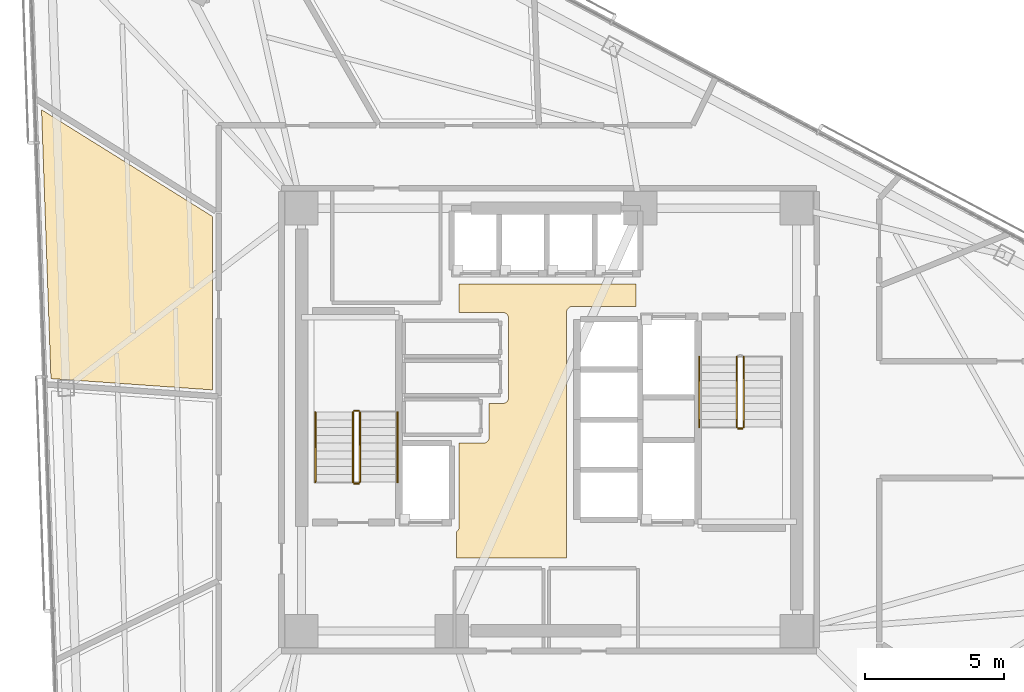
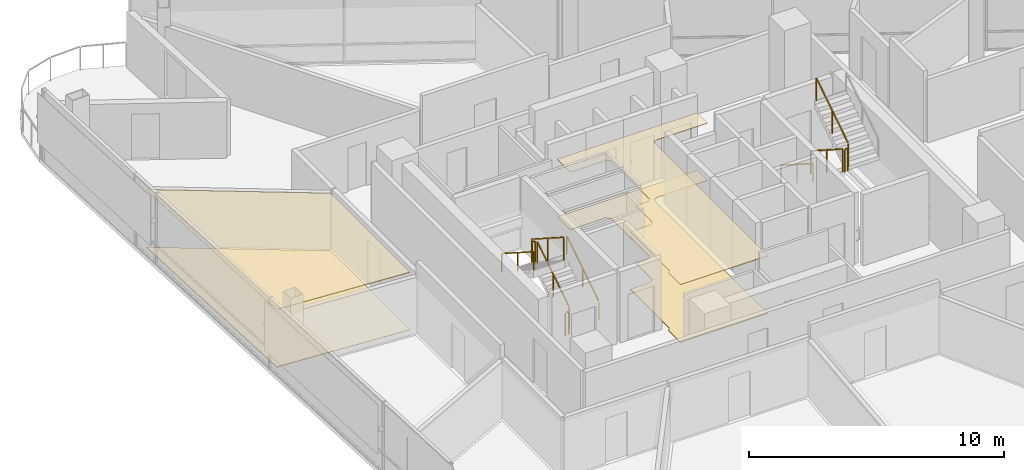
# One storey, part 18 of 20: 10 railings, 4 coverings.
"""IFC4 building model written with IfcOpenShell, lengths in metres."""

from ifc_helpers import new_model, si_unit, direction, frame, origin, origin_2d, place, context, subcontext, project, spatial, polyline, rectangle, outline, extrude, material, layer, layer_set, type_object, element, save


model = new_model("IFC4")

# Units and contexts
model_context = context("Model", 3, precision=1e-05, world=origin(), true_north=direction((0.0, 1.0)))
body_context = subcontext(model_context, "Body", "Model", "MODEL_VIEW")
ifc_project = project(units=[si_unit("LENGTHUNIT", "METRE"), si_unit("AREAUNIT", "SQUARE_METRE"), si_unit("VOLUMEUNIT", "CUBIC_METRE"), si_unit("PLANEANGLEUNIT", "RADIAN"), si_unit("MASSUNIT", "GRAM", prefix="KILO")], contexts=[model_context])

# Site, building, storey
site_placement = place(None, origin())
site = spatial("IfcSite", under=ifc_project, at=site_placement, CompositionType="ELEMENT")
building_placement = place(site_placement, origin())
building = spatial("IfcBuilding", under=site, at=building_placement, Name="Tharavind Bronze Gate", CompositionType="ELEMENT")
storey_placement = place(building_placement, frame((0.0, 0.0, 149.60009765625)))
storey = spatial("IfcBuildingStorey", under=building, at=storey_placement, Name="L38", CompositionType="ELEMENT", Elevation=149.60009765625)

# Coverings
ifc_material_1 = material(Name="Perforated Bronze Acoustic Panel", Category="bronze")
ifc_layer_1 = layer(ifc_material_1, 0.044921875)
ifc_layer_set_1 = layer_set([ifc_layer_1], Name="Perforated Bronze Acoustic Panel")
covering_type_1 = type_object("IfcCoveringType", Name="ACOUSTIC BRONZE BAFFLE CEILING", PredefinedType="CEILING", material=ifc_layer_set_1)
covering_1_placement = place(storey_placement, frame((0.0, 0.0, 2.75)))
element("IfcCovering", 1, at=covering_1_placement, inside=storey, type_object=covering_type_1, Name="L38-C-LL suspended ceiling", PredefinedType="CEILING", context=body_context, shape_type="SweptSolid", body=[
    extrude(outline(polyline([(-3.330078125, -4.97998046875), (0.6298828125, -4.97998046875), (0.6298828125, 3.85009765625), (0.631103515625, 3.87158203125), (0.63427734375, 3.892822265625), (0.639404296875, 3.913818359375), (0.646728515625, 3.93408203125), (0.656005859375, 3.95361328125), (0.6669921875, 3.97216796875), (0.679931640625, 3.989501953125), (0.6943359375, 4.005615234375), (0.71044921875, 4.02001953125), (0.727783203125, 4.032958984375), (0.746337890625, 4.0439453125), (0.765869140625, 4.05322265625), (0.7861328125, 4.060546875), (0.80712890625, 4.06591796875), (0.828369140625, 4.06884765625), (0.85009765625, 4.070068359375), (3.1298828125, 4.070068359375), (3.1298828125, 4.8798828125), (-3.22998046875, 4.8798828125), (-3.22998046875, 3.85009765625), (-1.669921875, 3.85009765625), (-1.6484375, 3.848876953125), (-1.627197265625, 3.845703125), (-1.606201171875, 3.840576171875), (-1.585693359375, 3.833251953125), (-1.56640625, 3.823974609375), (-1.5478515625, 3.81298828125), (-1.530517578125, 3.800048828125), (-1.514404296875, 3.78564453125), (-1.5, 3.76953125), (-1.487060546875, 3.752197265625), (-1.47607421875, 3.733642578125), (-1.466796875, 3.714111328125), (-1.45947265625, 3.69384765625), (-1.4541015625, 3.6728515625), (-1.451171875, 3.651611328125), (-1.449951171875, 3.6298828125), (-1.449951171875, 0.800048828125), (-1.451171875, 0.7783203125), (-1.4541015625, 0.757080078125), (-1.45947265625, 0.736083984375), (-1.466796875, 0.7158203125), (-1.47607421875, 0.6962890625), (-1.487060546875, 0.677734375), (-1.5, 0.660400390625), (-1.514404296875, 0.644287109375), (-1.530517578125, 0.6298828125), (-1.5478515625, 0.6171875), (-1.56640625, 0.60595703125), (-1.585693359375, 0.5966796875), (-1.606201171875, 0.589599609375), (-1.627197265625, 0.584228515625), (-1.6484375, 0.5810546875), (-1.669921875, 0.580078125), (-2.14990234375, 0.580078125), (-2.14990234375, -0.6298828125), (-2.151123046875, -0.651611328125), (-2.154296875, -0.6728515625), (-2.159423828125, -0.69384765625), (-2.166748046875, -0.714111328125), (-2.176025390625, -0.733642578125), (-2.18701171875, -0.752197265625), (-2.199951171875, -0.76953125), (-2.21435546875, -0.78564453125), (-2.23046875, -0.800048828125), (-2.247802734375, -0.81298828125), (-2.266357421875, -0.823974609375), (-2.285888671875, -0.833251953125), (-2.30615234375, -0.840576171875), (-2.3271484375, -0.845703125), (-2.348388671875, -0.848876953125), (-2.3701171875, -0.85009765625), (-3.22998046875, -0.85009765625), (-3.22998046875, -3.85009765625), (-3.231201171875, -3.87158203125), (-3.234130859375, -3.892822265625), (-3.239501953125, -3.913818359375), (-3.24658203125, -3.93408203125), (-3.256103515625, -3.95361328125), (-3.26708984375, -3.97216796875), (-3.27978515625, -3.989501953125), (-3.29443359375, -4.005615234375), (-3.310302734375, -4.02001953125), (-3.327880859375, -4.032958984375), (-3.330078125, -4.0341796875), (-3.330078125, -4.97998046875)])), origin(), (0.0, 0.0, 1.0), 0.034912109375),
])
ifc_material_2 = material(Name="Engineered Oak & Carpet Tile", Category="wood")
ifc_layer_2 = layer(ifc_material_2, 0.02490234375)
ifc_layer_set_2 = layer_set([ifc_layer_2], Name="Engineered Oak & Carpet Tile")
covering_type_2 = type_object("IfcCoveringType", Name="ENGINEERED TIMBER FLOORING", PredefinedType="FLOORING", material=ifc_layer_set_2)
covering_2_placement = place(storey_placement, origin())
element("IfcCovering", 2, at=covering_2_placement, inside=storey, type_object=covering_type_2, Name="L38-RM-05 floor finish", PredefinedType="FLOORING", context=body_context, shape_type="SweptSolid", body=[
    extrude(outline(polyline([(-17.909912109375, 1.472900390625), (-12.10009765625, 1.066650390625), (-12.10009765625, 7.301513671875), (-18.24755859375, 11.142822265625), (-17.909912109375, 1.472900390625)])), origin(), (0.0, 0.0, 1.0), 0.02490234375),
])
ifc_material_3 = material(Name="Acoustic Gypsum Board", Category="gypsum")
ifc_layer_3 = layer(ifc_material_3, 0.030029296875)
ifc_layer_set_3 = layer_set([ifc_layer_3], Name="Acoustic Gypsum Board")
covering_type_3 = type_object("IfcCoveringType", Name="GYPSUM SUSPENDED CEILING", PredefinedType="CEILING", material=ifc_layer_set_3)
covering_3_placement = place(storey_placement, frame((0.0, 0.0, 2.75)))
element("IfcCovering", 3, at=covering_3_placement, inside=storey, type_object=covering_type_3, Name="L38-RM-05 suspended ceiling", PredefinedType="CEILING", context=body_context, shape_type="SweptSolid", body=[
    extrude(outline(polyline([(-17.909912109375, 1.472900390625), (-12.10009765625, 1.066650390625), (-12.10009765625, 7.301513671875), (-18.24755859375, 11.142822265625), (-17.909912109375, 1.472900390625)])), origin(), (0.0, 0.0, 1.0), 0.034912109375),
])
ifc_material_4 = material(Name="Honed Travertine Limestone", Category="masonry")
ifc_layer_4 = layer(ifc_material_4, 0.030029296875)
ifc_layer_set_4 = layer_set([ifc_layer_4], Name="Honed Travertine Limestone")
covering_type_4 = type_object("IfcCoveringType", Name="HONED LIMESTONE FLOORING", PredefinedType="FLOORING", material=ifc_layer_set_4)
covering_4_placement = place(storey_placement, origin())
element("IfcCovering", 4, at=covering_4_placement, inside=storey, type_object=covering_type_4, Name="L38-C-LL floor finish", PredefinedType="FLOORING", context=body_context, shape_type="SweptSolid", body=[
    extrude(outline(polyline([(-3.330078125, -4.97998046875), (0.6298828125, -4.97998046875), (0.6298828125, 3.85009765625), (0.631103515625, 3.87158203125), (0.63427734375, 3.892822265625), (0.639404296875, 3.913818359375), (0.646728515625, 3.93408203125), (0.656005859375, 3.95361328125), (0.6669921875, 3.97216796875), (0.679931640625, 3.989501953125), (0.6943359375, 4.005615234375), (0.71044921875, 4.02001953125), (0.727783203125, 4.032958984375), (0.746337890625, 4.0439453125), (0.765869140625, 4.05322265625), (0.7861328125, 4.060546875), (0.80712890625, 4.06591796875), (0.828369140625, 4.06884765625), (0.85009765625, 4.070068359375), (3.1298828125, 4.070068359375), (3.1298828125, 4.8798828125), (-3.22998046875, 4.8798828125), (-3.22998046875, 3.85009765625), (-1.669921875, 3.85009765625), (-1.6484375, 3.848876953125), (-1.627197265625, 3.845703125), (-1.606201171875, 3.840576171875), (-1.585693359375, 3.833251953125), (-1.56640625, 3.823974609375), (-1.5478515625, 3.81298828125), (-1.530517578125, 3.800048828125), (-1.514404296875, 3.78564453125), (-1.5, 3.76953125), (-1.487060546875, 3.752197265625), (-1.47607421875, 3.733642578125), (-1.466796875, 3.714111328125), (-1.45947265625, 3.69384765625), (-1.4541015625, 3.6728515625), (-1.451171875, 3.651611328125), (-1.449951171875, 3.6298828125), (-1.449951171875, 0.800048828125), (-1.451171875, 0.7783203125), (-1.4541015625, 0.757080078125), (-1.45947265625, 0.736083984375), (-1.466796875, 0.7158203125), (-1.47607421875, 0.6962890625), (-1.487060546875, 0.677734375), (-1.5, 0.660400390625), (-1.514404296875, 0.644287109375), (-1.530517578125, 0.6298828125), (-1.5478515625, 0.6171875), (-1.56640625, 0.60595703125), (-1.585693359375, 0.5966796875), (-1.606201171875, 0.589599609375), (-1.627197265625, 0.584228515625), (-1.6484375, 0.5810546875), (-1.669921875, 0.580078125), (-2.14990234375, 0.580078125), (-2.14990234375, -0.6298828125), (-2.151123046875, -0.651611328125), (-2.154296875, -0.6728515625), (-2.159423828125, -0.69384765625), (-2.166748046875, -0.714111328125), (-2.176025390625, -0.733642578125), (-2.18701171875, -0.752197265625), (-2.199951171875, -0.76953125), (-2.21435546875, -0.78564453125), (-2.23046875, -0.800048828125), (-2.247802734375, -0.81298828125), (-2.266357421875, -0.823974609375), (-2.285888671875, -0.833251953125), (-2.30615234375, -0.840576171875), (-2.3271484375, -0.845703125), (-2.348388671875, -0.848876953125), (-2.3701171875, -0.85009765625), (-3.22998046875, -0.85009765625), (-3.22998046875, -3.85009765625), (-3.231201171875, -3.87158203125), (-3.234130859375, -3.892822265625), (-3.239501953125, -3.913818359375), (-3.24658203125, -3.93408203125), (-3.256103515625, -3.95361328125), (-3.26708984375, -3.97216796875), (-3.27978515625, -3.989501953125), (-3.29443359375, -4.005615234375), (-3.310302734375, -4.02001953125), (-3.327880859375, -4.032958984375), (-3.330078125, -4.0341796875), (-3.330078125, -4.97998046875)])), origin(), (0.0, 0.0, 1.0), 0.02490234375),
])

# Railings
ifc_material_5 = material(Name="Brushed Bronze Alloy", Category="metal")
railing_type_1 = type_object("IfcRailingType", Name="STAIR BRONZE HANDRAIL 900", PredefinedType="HANDRAIL", material=ifc_material_5)
railing_1_placement = place(storey_placement, frame((-5.449951171875, -2.25, 0.179931640625)))
element("IfcRailing", 5, at=railing_1_placement, inside=storey, type_object=railing_type_1, Name="L38 ST1 stair handrail 1", PredefinedType="HANDRAIL", context=body_context, shape_type="SweptSolid", body=[
    extrude(rectangle(XDim=0.048095703125, YDim=0.048095703125, at=origin_2d()), frame((0.0, 0.02685546875, 0.89306640625), z_axis=(0.0, 0.841199657755, 0.540724639528), x_axis=(-1.0, 0.0, 0.0)), (0.0, 0.0, 1.0), 2.931640625),
    extrude(rectangle(XDim=0.0400390625, YDim=0.0400390625, at=origin_2d()), origin(), (0.0, 0.0, 1.0), 0.847900390625),
    extrude(rectangle(XDim=0.0400390625, YDim=0.0400390625, at=origin_2d()), frame((0.0, 1.260009765625, 0.81005859375)), (0.0, 0.0, 1.0), 0.847900390625),
    extrude(rectangle(XDim=0.0400390625, YDim=0.0400390625, at=origin_2d()), frame((0.0, 2.52001953125, 1.619873046875)), (0.0, 0.0, 1.0), 0.847900390625),
])
for number, where, name in (
    (6, (-8.39990234375, 0.27001953125, 1.97998046875), "L38 ST1 stair handrail 2"),
    (7, (5.39990234375, 2.25, 0.179931640625), "L38 ST2 stair handrail 1"),
):
    element("IfcRailing", number, at=place(storey_placement, frame(where)), inside=storey, type_object=railing_type_1, Name=name, PredefinedType="HANDRAIL", context=body_context, shape_type="SweptSolid", body=[
        extrude(rectangle(XDim=0.048095703125, YDim=0.048095703125, at=origin_2d()), frame((0.0, -0.02685546875, 0.89306640625), z_axis=(0.0, -0.841199657755, 0.540724639528), x_axis=(1.0, 0.0, 0.0)), (0.0, 0.0, 1.0), 2.931640625),
        extrude(rectangle(XDim=0.0400390625, YDim=0.0400390625, at=origin_2d()), origin(), (0.0, 0.0, 1.0), 0.847900390625),
        extrude(rectangle(XDim=0.0400390625, YDim=0.0400390625, at=origin_2d()), frame((0.0, -1.260009765625, 0.81005859375)), (0.0, 0.0, 1.0), 0.847900390625),
        extrude(rectangle(XDim=0.0400390625, YDim=0.0400390625, at=origin_2d()), frame((0.0, -2.52001953125, 1.619873046875)), (0.0, 0.0, 1.0), 0.847900390625),
    ])
railing_type_2 = type_object("IfcRailingType", Name="STAIR WELL GUARD RAILING 1120", PredefinedType="GUARDRAIL", material=ifc_material_5)
railing_2_placement = place(storey_placement, frame((-6.800048828125, -2.25, 0.179931640625)))
element("IfcRailing", 8, at=railing_2_placement, inside=storey, type_object=railing_type_2, Name="L38 ST1 stair guard 1", PredefinedType="GUARDRAIL", context=body_context, shape_type="SweptSolid", body=[
    extrude(rectangle(XDim=0.048095703125, YDim=0.048095703125, at=origin_2d()), frame((0.0, 0.02685546875, 1.11328125), z_axis=(0.0, 0.841199657755, 0.540724639528), x_axis=(-1.0, 0.0, 0.0)), (0.0, 0.0, 1.0), 2.931640625),
    extrude(rectangle(XDim=0.0400390625, YDim=0.0400390625, at=origin_2d()), origin(), (0.0, 0.0, 1.0), 1.068115234375),
    extrude(rectangle(XDim=0.0400390625, YDim=0.0400390625, at=origin_2d()), frame((0.0, 1.260009765625, 0.81005859375)), (0.0, 0.0, 1.0), 1.068115234375),
    extrude(rectangle(XDim=0.0400390625, YDim=0.0400390625, at=origin_2d()), frame((0.0, 2.52001953125, 1.619873046875)), (0.0, 0.0, 1.0), 1.068115234375),
])
railing_3_placement = place(storey_placement, frame((-6.85009765625, 0.320068359375, 1.7998046875)))
element("IfcRailing", 9, at=railing_3_placement, inside=storey, type_object=railing_type_2, Name="L38 ST1 stair guard 2", PredefinedType="GUARDRAIL", context=body_context, shape_type="SweptSolid", body=[
    extrude(rectangle(XDim=0.048095703125, YDim=0.048095703125, at=origin_2d()), frame((-0.031982421875, 0.0, 1.09619140625), z_axis=(-1.0, 0.0, 0.0), x_axis=(0.0, -1.0, 0.0)), (0.0, 0.0, 1.0), 0.0859375),
    extrude(rectangle(XDim=0.0400390625, YDim=0.0400390625, at=origin_2d()), origin(), (0.0, 0.0, 1.0), 1.068115234375),
    extrude(rectangle(XDim=0.0400390625, YDim=0.0400390625, at=origin_2d()), frame((-0.14990234375, 0.0, 0.0)), (0.0, 0.0, 1.0), 1.068115234375),
])
railing_4_placement = place(storey_placement, frame((-7.050048828125, 0.27001953125, 1.97998046875)))
element("IfcRailing", 10, at=railing_4_placement, inside=storey, type_object=railing_type_2, Name="L38 ST1 stair guard 3", PredefinedType="GUARDRAIL", context=body_context, shape_type="SweptSolid", body=[
    extrude(rectangle(XDim=0.048095703125, YDim=0.048095703125, at=origin_2d()), frame((0.0, -0.02685546875, 1.11328125), z_axis=(0.0, -0.841199657755, 0.540724639528), x_axis=(1.0, 0.0, 0.0)), (0.0, 0.0, 1.0), 2.931640625),
    extrude(rectangle(XDim=0.0400390625, YDim=0.0400390625, at=origin_2d()), origin(), (0.0, 0.0, 1.0), 1.068115234375),
    extrude(rectangle(XDim=0.0400390625, YDim=0.0400390625, at=origin_2d()), frame((0.0, -1.260009765625, 0.81005859375)), (0.0, 0.0, 1.0), 1.068115234375),
    extrude(rectangle(XDim=0.0400390625, YDim=0.0400390625, at=origin_2d()), frame((0.0, -2.52001953125, 1.619873046875)), (0.0, 0.0, 1.0), 1.068115234375),
])
railing_5_placement = place(storey_placement, frame((-6.85009765625, -2.300048828125, 0.0)))
element("IfcRailing", 11, at=railing_5_placement, inside=storey, type_object=railing_type_2, Name="L38 ST1 stair guard 4", PredefinedType="GUARDRAIL", context=body_context, shape_type="SweptSolid", body=[
    extrude(rectangle(XDim=0.048095703125, YDim=0.048095703125, at=origin_2d()), frame((-0.031982421875, 0.0, 1.09619140625), z_axis=(-1.0, 0.0, 0.0), x_axis=(0.0, -1.0, 0.0)), (0.0, 0.0, 1.0), 0.0859375),
    extrude(rectangle(XDim=0.0400390625, YDim=0.0400390625, at=origin_2d()), origin(), (0.0, 0.0, 1.0), 1.068115234375),
    extrude(rectangle(XDim=0.0400390625, YDim=0.0400390625, at=origin_2d()), frame((-0.14990234375, 0.0, 0.0)), (0.0, 0.0, 1.0), 1.068115234375),
])
railing_6_placement = place(storey_placement, frame((6.75, 2.25, 0.179931640625)))
element("IfcRailing", 12, at=railing_6_placement, inside=storey, type_object=railing_type_2, Name="L38 ST2 stair guard 1", PredefinedType="GUARDRAIL", context=body_context, shape_type="SweptSolid", body=[
    extrude(rectangle(XDim=0.048095703125, YDim=0.048095703125, at=origin_2d()), frame((0.0, -0.02685546875, 1.11328125), z_axis=(0.0, -0.841199657755, 0.540724639528), x_axis=(1.0, 0.0, 0.0)), (0.0, 0.0, 1.0), 2.931640625),
    extrude(rectangle(XDim=0.0400390625, YDim=0.0400390625, at=origin_2d()), origin(), (0.0, 0.0, 1.0), 1.068115234375),
    extrude(rectangle(XDim=0.0400390625, YDim=0.0400390625, at=origin_2d()), frame((0.0, -1.260009765625, 0.81005859375)), (0.0, 0.0, 1.0), 1.068115234375),
    extrude(rectangle(XDim=0.0400390625, YDim=0.0400390625, at=origin_2d()), frame((0.0, -2.52001953125, 1.619873046875)), (0.0, 0.0, 1.0), 1.068115234375),
])
railing_7_placement = place(storey_placement, frame((6.800048828125, -0.320068359375, 1.7998046875)))
element("IfcRailing", 13, at=railing_7_placement, inside=storey, type_object=railing_type_2, Name="L38 ST2 stair guard 2", PredefinedType="GUARDRAIL", context=body_context, shape_type="SweptSolid", body=[
    extrude(rectangle(XDim=0.048095703125, YDim=0.048095703125, at=origin_2d()), frame((0.031982421875, 0.0, 1.09619140625), z_axis=(1.0, 0.0, 0.0), x_axis=(0.0, 1.0, 0.0)), (0.0, 0.0, 1.0), 0.0859375),
    extrude(rectangle(XDim=0.0400390625, YDim=0.0400390625, at=origin_2d()), origin(), (0.0, 0.0, 1.0), 1.068115234375),
    extrude(rectangle(XDim=0.0400390625, YDim=0.0400390625, at=origin_2d()), frame((0.14990234375, 0.0, 0.0)), (0.0, 0.0, 1.0), 1.068115234375),
])
railing_8_placement = place(storey_placement, frame((7.0, -0.27001953125, 1.97998046875)))
element("IfcRailing", 14, at=railing_8_placement, inside=storey, type_object=railing_type_2, Name="L38 ST2 stair guard 3", PredefinedType="GUARDRAIL", context=body_context, shape_type="SweptSolid", body=[
    extrude(rectangle(XDim=0.048095703125, YDim=0.048095703125, at=origin_2d()), frame((0.0, 0.02685546875, 1.11328125), z_axis=(0.0, 0.841199657755, 0.540724639528), x_axis=(-1.0, 0.0, 0.0)), (0.0, 0.0, 1.0), 2.931640625),
    extrude(rectangle(XDim=0.0400390625, YDim=0.0400390625, at=origin_2d()), origin(), (0.0, 0.0, 1.0), 1.068115234375),
    extrude(rectangle(XDim=0.0400390625, YDim=0.0400390625, at=origin_2d()), frame((0.0, 1.260009765625, 0.81005859375)), (0.0, 0.0, 1.0), 1.068115234375),
    extrude(rectangle(XDim=0.0400390625, YDim=0.0400390625, at=origin_2d()), frame((0.0, 2.52001953125, 1.619873046875)), (0.0, 0.0, 1.0), 1.068115234375),
])

save(model, "model.ifc")
